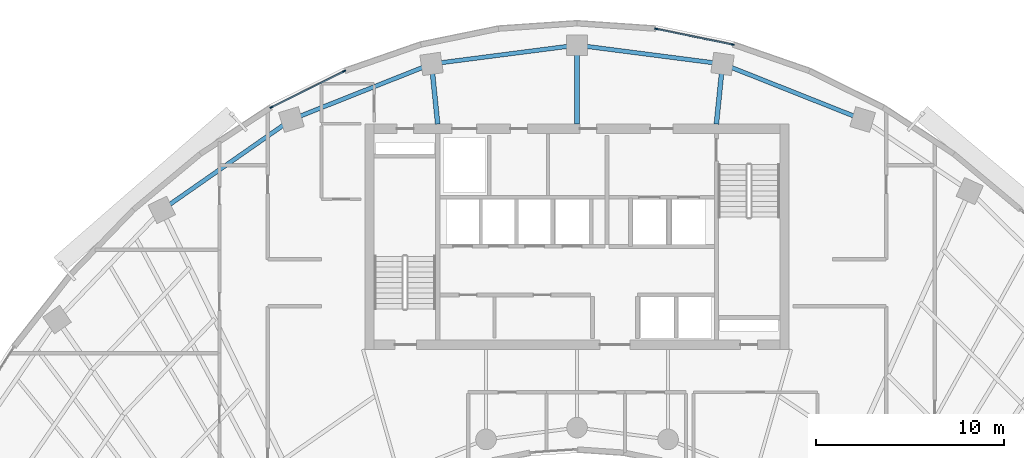
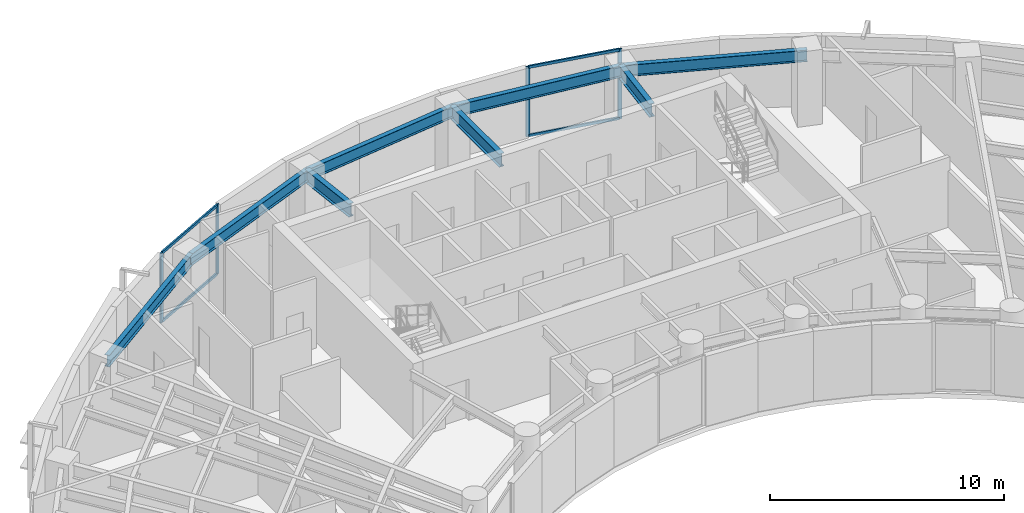
# One storey, part 5 of 13: 8 beams, 8 members, 2 elements without a shape of their own.
"""IFC4 building model written with IfcOpenShell, lengths in metres."""

import ifcopenshell
import ifcopenshell.guid

model = None  # the IFC model being written
_history = None  # IfcOwnerHistory: only IFC2X3 demands one
_inside = {}  # id of a spatial element -> (the spatial element, [elements in it])
_under = {}  # id of a project, library or spatial element -> (it, [spatial elements below it])
_declared = {}  # id of a project -> (the project, [libraries it declares])
_typed = {}  # id of a type object -> (the type object, [elements of that type])
_made_of = {}  # id of a material, layer set ... -> (it, [elements and type objects made of it])


def new_model(schema):
    """Start an empty IFC model of exactly this schema.

    Asked for "IFC4X3", IfcOpenShell would pick the latest addendum, in which some entities
    have other attributes; the version numbers below select the first issue.
    IFC2X3 requires an IfcOwnerHistory on every rooted entity: one is made here for all.
    """
    global model, _history
    if schema == "IFC4X3":
        model = ifcopenshell.file(schema_version=(4, 3, 0, 0))
    else:
        model = ifcopenshell.file(schema=schema)
    _inside.clear()
    _under.clear()
    _declared.clear()
    _typed.clear()
    _made_of.clear()
    _history = None
    if model.schema == "IFC2X3":
        org = make("IfcOrganization", Name="unknown")
        user = make(
            "IfcPersonAndOrganization",
            ThePerson=make("IfcPerson", FamilyName="unknown"),
            TheOrganization=org,
        )
        app = make(
            "IfcApplication",
            ApplicationDeveloper=org,
            Version="unknown",
            ApplicationFullName="unknown",
            ApplicationIdentifier="unknown",
        )
        _history = make(
            "IfcOwnerHistory",
            OwningUser=user,
            OwningApplication=app,
            ChangeAction="ADDED",
            CreationDate=0,
        )
    return model


def make(cls, **values):
    """One entity of the class cls with the attributes given. An attribute that is None is left unset."""
    return model.create_entity(
        cls, **{name: value for name, value in values.items() if value is not None}
    )


def rooted(cls, **values):
    """An entity with a GlobalId (a new one), such as an element, a storey or a relation."""
    return make(cls, GlobalId=ifcopenshell.guid.new(), OwnerHistory=_history, **values)


def si_unit(unit_type, name, prefix=None):
    """IfcSIUnit, for example si_unit("LENGTHUNIT", "METRE", prefix="MILLI")."""
    return make("IfcSIUnit", UnitType=unit_type, Prefix=prefix, Name=name)


def assignment(units):
    """IfcUnitAssignment: the units of a project."""
    return None if units is None else make("IfcUnitAssignment", Units=units)


def point(xyz):
    """IfcCartesianPoint."""
    return None if xyz is None else make("IfcCartesianPoint", Coordinates=xyz)


def direction(xyz):
    """IfcDirection."""
    return None if xyz is None else make("IfcDirection", DirectionRatios=xyz)


def frame(location, z_axis=None, x_axis=None):
    """IfcAxis2Placement3D, a coordinate frame: its origin and axes. An axis left out is left unset."""
    return make(
        "IfcAxis2Placement3D",
        Location=point(location),
        Axis=direction(z_axis),
        RefDirection=direction(x_axis),
    )


def frame_2d(location, x_axis=None):
    """IfcAxis2Placement2D, a coordinate frame in the plane: its origin and x axis."""
    return make(
        "IfcAxis2Placement2D", Location=point(location), RefDirection=direction(x_axis)
    )


def origin():
    """The frame at (0, 0, 0) with its axes left unset."""
    return frame((0.0, 0.0, 0.0))


def origin_2d():
    """The frame at (0, 0) in the plane with its x axis left unset."""
    return frame_2d((0.0, 0.0))


def place(relative_to, where):
    """IfcLocalPlacement: puts the frame where relative to a parent placement (None: the world)."""
    return make(
        "IfcLocalPlacement", PlacementRelTo=relative_to, RelativePlacement=where
    )


def context(
    kind, dimensions, precision=None, world=None, true_north=None, identifier=None
):
    """IfcGeometricRepresentationContext, for example the 3D "Model" context."""
    return make(
        "IfcGeometricRepresentationContext",
        ContextIdentifier=identifier,
        ContextType=kind,
        CoordinateSpaceDimension=dimensions,
        Precision=precision,
        WorldCoordinateSystem=world,
        TrueNorth=true_north,
    )


def subcontext(parent, identifier, kind, view, scale=None):
    """IfcGeometricRepresentationSubContext, for example "Body" below "Model"."""
    return make(
        "IfcGeometricRepresentationSubContext",
        ContextIdentifier=identifier,
        ContextType=kind,
        ParentContext=parent,
        TargetScale=scale,
        TargetView=view,
    )


def project(units=None, contexts=None):
    """IfcProject with its units and contexts."""
    return rooted(
        "IfcProject",
        Name="project",
        RepresentationContexts=contexts,
        UnitsInContext=assignment(units),
    )


def spatial(cls, under=None, at=None, **own):
    """A site, building, storey or space (cls), placed at a placement, below another one or the project."""
    s = rooted(cls, ObjectPlacement=at, **own)
    if under is not None:
        _under.setdefault(under.id(), (under, []))[1].append(s)
    return s


def profile(cls, at=None, kind="AREA", **sizes):
    """A parametric profile (cls). Its sizes go by their IFC names, for example OverallWidth=200.0."""
    return make(cls, ProfileType=kind, Position=at, **sizes)


def rectangle(**sizes):
    """IfcRectangleProfileDef."""
    return profile("IfcRectangleProfileDef", **sizes)


def i_section(**sizes):
    """IfcIShapeProfileDef."""
    return profile("IfcIShapeProfileDef", **sizes)


def extrude(swept, where, along, depth):
    """IfcExtrudedAreaSolid: the profile swept, set in the frame where, extruded along a direction by depth."""
    return make(
        "IfcExtrudedAreaSolid",
        SweptArea=swept,
        Position=where,
        ExtrudedDirection=direction(along),
        Depth=depth,
    )


def shape(context_of_items, identifier, shape_type, items):
    """IfcShapeRepresentation: the items that make up one representation, for example the "Body"."""
    return make(
        "IfcShapeRepresentation",
        ContextOfItems=context_of_items,
        RepresentationIdentifier=identifier,
        RepresentationType=shape_type,
        Items=items,
    )


def source(mapping_origin, context_of_items, identifier, shape_type, items):
    """IfcRepresentationMap: a shape defined once, which mapped items show again and again."""
    return make(
        "IfcRepresentationMap",
        MappingOrigin=mapping_origin,
        MappedRepresentation=shape(context_of_items, identifier, shape_type, items),
    )


def transform(
    local_origin,
    x_axis=None,
    y_axis=None,
    z_axis=None,
    scale=None,
    scale2=None,
    scale3=None,
    uniform=True,
):
    """IfcCartesianTransformationOperator3D, or its non-uniform kind. x_axis, y_axis, z_axis: its Axis1, 2, 3."""
    if uniform:
        return make(
            "IfcCartesianTransformationOperator3D",
            Axis1=direction(x_axis),
            Axis2=direction(y_axis),
            LocalOrigin=point(local_origin),
            Scale=scale,
            Axis3=direction(z_axis),
        )
    return make(
        "IfcCartesianTransformationOperator3DnonUniform",
        Axis1=direction(x_axis),
        Axis2=direction(y_axis),
        LocalOrigin=point(local_origin),
        Scale=scale,
        Axis3=direction(z_axis),
        Scale2=scale2,
        Scale3=scale3,
    )


def mapped(mapping_source, mapping_target):
    """IfcMappedItem: shows the shape of a source again, moved by a transform."""
    return make(
        "IfcMappedItem", MappingSource=mapping_source, MappingTarget=mapping_target
    )


def material(Name=None, Category=None):
    """IfcMaterial."""
    return make("IfcMaterial", Name=Name, Category=Category)


def layer(
    of_material, thickness, ventilated=None, Name=None, Category=None, Priority=None
):
    """IfcMaterialLayer: one layer of a wall or slab, of a material (None: an air gap)."""
    return make(
        "IfcMaterialLayer",
        Material=of_material,
        LayerThickness=thickness,
        IsVentilated=ventilated,
        Name=Name,
        Category=Category,
        Priority=Priority,
    )


def layer_set(layers, Name=None):
    """IfcMaterialLayerSet."""
    return make("IfcMaterialLayerSet", MaterialLayers=layers, LayerSetName=Name)


def material_profile(
    of_material, cross_section, Name=None, Category=None, Priority=None
):
    """IfcMaterialProfile: a cross section and its material."""
    return make(
        "IfcMaterialProfile",
        Name=Name,
        Material=of_material,
        Profile=cross_section,
        Priority=Priority,
        Category=Category,
    )


def profile_set(profiles, Name=None, composite=None):
    """IfcMaterialProfileSet."""
    return make(
        "IfcMaterialProfileSet",
        Name=Name,
        MaterialProfiles=profiles,
        CompositeProfile=composite,
    )


def made_of(thing, what):
    """Note that an element or type object is made of a material, layer set ...; save() writes the relation."""
    if what is not None:
        _made_of.setdefault(what.id(), (what, []))[1].append(thing)
    return thing


def type_object(cls, material=None, **own):
    """A type object (cls), such as IfcWallType, which elements share."""
    return made_of(rooted(cls, **own), material)


def element(
    cls,
    number,
    at=None,
    inside=None,
    cuts=None,
    type_object=None,
    material=None,
    context=None,
    identifier="Body",
    shape_type=None,
    held_by="IfcProductDefinitionShape",
    body=None,
    shapes=None,
    **own,
):
    """One element of the class cls, such as IfcWall. Its Tag is "e" and its number.

    at: its placement. inside: the storey or other place that contains it. cuts: it is an
    opening in that element (IfcRelVoidsElement). A single representation is given by context,
    identifier, shape_type and body (its items); several are given by shapes. held_by: the class
    of the entity that holds the representations. save() writes the other relations.
    """
    e = rooted(cls, Tag="e%d" % number, ObjectPlacement=at, **own)
    if body is not None:
        shapes = [shape(context, identifier, shape_type, body)]
    if shapes is not None:
        e.Representation = make(held_by, Representations=shapes)
    if inside is not None:
        _inside.setdefault(inside.id(), (inside, []))[1].append(e)
    if cuts is not None:
        rooted(
            "IfcRelVoidsElement", RelatingBuildingElement=cuts, RelatedOpeningElement=e
        )
    if type_object is not None:
        _typed.setdefault(type_object.id(), (type_object, []))[1].append(e)
    return made_of(e, material)


def aggregate(whole, parts):
    """IfcRelAggregates: a whole, such as a stair, and the parts it consists of."""
    return rooted("IfcRelAggregates", RelatingObject=whole, RelatedObjects=parts)


def save(model, path):
    """Write the relations noted so far, then the file.

    IfcRelAggregates (storeys below a building ...), IfcRelContainedInSpatialStructure (elements
    in a storey), IfcRelDefinesByType, IfcRelAssociatesMaterial and IfcRelDeclares: one each for
    every whole, place, type object, material and project.
    """
    for whole, parts in _under.values():
        aggregate(whole, parts)
    for where, things in _inside.values():
        rooted(
            "IfcRelContainedInSpatialStructure",
            RelatedElements=things,
            RelatingStructure=where,
        )
    for kind, things in _typed.values():
        rooted("IfcRelDefinesByType", RelatedObjects=things, RelatingType=kind)
    for what, things in _made_of.values():
        rooted("IfcRelAssociatesMaterial", RelatedObjects=things, RelatingMaterial=what)
    for by, libraries in _declared.values():
        rooted("IfcRelDeclares", RelatingContext=by, RelatedDefinitions=libraries)
    model.write(path)


model = new_model("IFC4")

# Units and contexts
model_context = context("Model", 3, precision=1e-05, world=origin(), true_north=direction((0.0, 1.0)))
body_context = subcontext(model_context, "Body", "Model", "MODEL_VIEW")
ifc_project = project(units=[si_unit("LENGTHUNIT", "METRE"), si_unit("AREAUNIT", "SQUARE_METRE"), si_unit("VOLUMEUNIT", "CUBIC_METRE"), si_unit("PLANEANGLEUNIT", "RADIAN"), si_unit("MASSUNIT", "GRAM", prefix="KILO")], contexts=[model_context])

# Site, building, storey
site_placement = place(None, origin())
site = spatial("IfcSite", under=ifc_project, at=site_placement, CompositionType="ELEMENT")
building_placement = place(site_placement, origin())
building = spatial("IfcBuilding", under=site, at=building_placement, Name="Breltana Convention Tower", CompositionType="ELEMENT")
storey_placement = place(building_placement, frame((0.0, 0.0, 166.199951171875)))
storey = spatial("IfcBuildingStorey", under=building, at=storey_placement, Name="L40", CompositionType="ELEMENT", Elevation=166.199951171875)

# Beams
ifc_material_1 = material(Name="Steel ASTM A992 Grade 50", Category="steel")
ifc_material_profile_1 = material_profile(ifc_material_1, i_section(OverallWidth=0.25390625, OverallDepth=0.68798828125, WebThickness=0.01318359375, FlangeThickness=0.02099609375, at=origin_2d()), Name="W27X102")
ifc_profile_set_1 = profile_set([ifc_material_profile_1], Name="Steel ASTM A992 Grade 50")
beam_type_1 = type_object("IfcBeamType", Name="BM-RG-W27X102", PredefinedType="USERDEFINED", material=ifc_profile_set_1)
shared_shape_1 = source(origin(), body_context, "Body", "SweptSolid", [
    extrude(i_section(OverallWidth=0.25390625, OverallDepth=0.68798828125, WebThickness=0.01318359375, FlangeThickness=0.02099609375, at=origin_2d()), origin(), (0.0, 0.0, 1.0), 3.220947265625),
])
for number, where, z_axis, x_axis, name in (
    (1, (40.580078125, 72.199951171875, 3.30615234375), (-0.101492254858, 0.994836329355, 0.0), (-0.994836329355, -0.101492254858, 0.0), "L40 North Core Radial Girder R05"),
    (2, (55.419921875, 72.199951171875, 3.30615234375), (0.101492254858, 0.994836329355, 0.0), (-0.994836329355, 0.101492254858, 0.0), "L40 North Core Radial Girder R07"),
):
    element("IfcBeam", number, at=place(storey_placement, frame(where, z_axis=z_axis, x_axis=x_axis)), inside=storey, type_object=beam_type_1, Name=name, ObjectType="GIRDER", PredefinedType="USERDEFINED", context=body_context, shape_type="MappedRepresentation", body=[
        mapped(shared_shape_1, transform((0.0, 0.0, 0.0), scale=1.0)),
    ])
shared_shape_2 = source(origin(), body_context, "Body", "SweptSolid", [
    extrude(i_section(OverallWidth=0.25390625, OverallDepth=0.68798828125, WebThickness=0.01318359375, FlangeThickness=0.02099609375, at=origin_2d()), origin(), (0.0, 0.0, 1.0), 4.2041015625),
])
beam_1_placement = place(storey_placement, frame((48.0, 72.199951171875, 3.30615234375), z_axis=(0.0, 1.0, 0.0), x_axis=(-1.0, 0.0, 0.0)))
element("IfcBeam", 3, at=beam_1_placement, inside=storey, type_object=beam_type_1, Name="L40 North Core Radial Girder R06", ObjectType="GIRDER", PredefinedType="USERDEFINED", context=body_context, shape_type="MappedRepresentation", body=[
    mapped(shared_shape_2, transform((0.0, 0.0, 0.0), scale=1.0)),
])
ifc_material_profile_2 = material_profile(ifc_material_1, i_section(OverallWidth=0.22802734375, OverallDepth=0.60791015625, WebThickness=0.01123046875, FlangeThickness=0.017333984375, at=origin_2d()), Name="W24X76")
ifc_profile_set_2 = profile_set([ifc_material_profile_2], Name="Steel ASTM A992 Grade 50")
beam_type_2 = type_object("IfcBeamType", Name="BM-SP-W24X76", PredefinedType="SPANDREL", material=ifc_profile_set_2)
shared_shape_3 = source(origin(), body_context, "Body", "SweptSolid", [
    extrude(i_section(OverallWidth=0.22802734375, OverallDepth=0.60791015625, WebThickness=0.01123046875, FlangeThickness=0.017333984375, at=origin_2d()), origin(), (0.0, 0.0, 1.0), 8.4169921875),
])
beam_2_placement = place(storey_placement, frame((25.8876953125, 67.626953125, 3.345947265625), z_axis=(0.820173800102, 0.572114444519, 0.0), x_axis=(-0.572114444519, 0.820173800102, 0.0)))
element("IfcBeam", 4, at=beam_2_placement, inside=storey, type_object=beam_type_2, Name="L40 Outer Spandrel Beam 03", PredefinedType="SPANDREL", context=body_context, shape_type="MappedRepresentation", body=[
    mapped(shared_shape_3, transform((0.0, 0.0, 0.0), scale=1.0)),
])
shared_shape_4 = source(origin(), body_context, "Body", "SweptSolid", [
    extrude(i_section(OverallWidth=0.22802734375, OverallDepth=0.60791015625, WebThickness=0.01123046875, FlangeThickness=0.017333984375, at=origin_2d()), origin(), (0.0, 0.0, 1.0), 8.028564453125),
])
for number, where, z_axis, x_axis, name in (
    (5, (32.791015625, 72.4423828125, 3.345947265625), (0.929459100394, 0.368925169507, 0.0), (-0.368925169507, 0.929459100394, 0.0), "L40 Outer Spandrel Beam 04"),
    (6, (55.746826171875, 75.404296875, 3.345947265625), (0.929459100394, -0.368925169507, 0.0), (0.368925169507, 0.929459100394, 0.0), "L40 Outer Spandrel Beam 07"),
):
    element("IfcBeam", number, at=place(storey_placement, frame(where, z_axis=z_axis, x_axis=x_axis)), inside=storey, type_object=beam_type_2, Name=name, PredefinedType="SPANDREL", context=body_context, shape_type="MappedRepresentation", body=[
        mapped(shared_shape_4, transform((0.0, 0.0, 0.0), scale=1.0)),
    ])
shared_shape_5 = source(origin(), body_context, "Body", "SweptSolid", [
    extrude(i_section(OverallWidth=0.22802734375, OverallDepth=0.60791015625, WebThickness=0.01123046875, FlangeThickness=0.017333984375, at=origin_2d()), origin(), (0.0, 0.0, 1.0), 7.81103515625),
])
for number, where, z_axis, x_axis, name in (
    (7, (40.253173828125, 75.404296875, 3.345947265625), (0.991775179127, 0.127992164083, 0.0), (-0.127992164083, 0.991775179127, 0.0), "L40 Outer Spandrel Beam 05"),
    (8, (48.0, 76.404052734375, 3.345947265625), (0.991775179127, -0.127992164083, 0.0), (0.127992164083, 0.991775179127, 0.0), "L40 Outer Spandrel Beam 06"),
):
    element("IfcBeam", number, at=place(storey_placement, frame(where, z_axis=z_axis, x_axis=x_axis)), inside=storey, type_object=beam_type_2, Name=name, PredefinedType="SPANDREL", context=body_context, shape_type="MappedRepresentation", body=[
        mapped(shared_shape_5, transform((0.0, 0.0, 0.0), scale=1.0)),
    ])

# Curtain wall, members
ifc_material_2 = material(Name="Aluminium Anodised Bronze Frame", Category="aluminium")
ifc_layer = layer(ifc_material_2, 0.2099609375, Name="Aluminium Anodised Bronze Frame")
ifc_layer_set = layer_set([ifc_layer], Name="Aluminium Anodised Bronze Frame")
curtain_wall_type = type_object("IfcCurtainWallType", Name="CW-SYS-3", PredefinedType="NOTDEFINED", material=ifc_layer_set)
curtain_wall_1_placement = place(storey_placement, origin())
curtain_wall_1 = element("IfcCurtainWall", 9, at=curtain_wall_1_placement, inside=storey, type_object=curtain_wall_type, Name="L40 outer double-skin inner glazing 2", PredefinedType="NOTDEFINED")
ifc_material_3 = material(Name="Aluminium Anodised Bronze", Category="aluminium")
ifc_material_profile_3 = material_profile(ifc_material_3, rectangle(XDim=0.070068359375, YDim=0.175048828125, at=origin_2d()), Name="CWM-70X175")
ifc_profile_set_3 = profile_set([ifc_material_profile_3], Name="Aluminium Anodised Bronze")
member_type_1 = type_object("IfcMemberType", Name="CWM-175", PredefinedType="MULLION", material=ifc_profile_set_3)
shared_shape_6 = source(origin(), body_context, "Body", "SweptSolid", [
    extrude(rectangle(XDim=0.070068359375, YDim=0.175048828125, at=origin_2d()), origin(), (0.0, 0.0, 1.0), 3.650146484375),
])
member_1_placement = place(storey_placement, frame((31.733154296875, 73.095458984375, 0.0), z_axis=(0.0, 0.0, 1.0), x_axis=(-0.444117835682, 0.895968385619, 0.0)))
member_1 = element("IfcMember", 10, at=member_1_placement, type_object=member_type_1, Name="CW-03 mullion 1", PredefinedType="MULLION", context=body_context, shape_type="MappedRepresentation", body=[
    mapped(shared_shape_6, transform((0.0, 0.0, 0.0), scale=1.0)),
])
member_2_placement = place(storey_placement, frame((35.59814453125, 75.011474609375, 0.0), z_axis=(0.0, 0.0, 1.0), x_axis=(-0.444117835682, 0.895968385619, 0.0)))
member_2 = element("IfcMember", 11, at=member_2_placement, type_object=member_type_1, Name="CW-03 mullion 2", PredefinedType="MULLION", context=body_context, shape_type="MappedRepresentation", body=[
    mapped(shared_shape_6, transform((0.0, 0.0, 0.0), scale=1.0)),
])

curtain_wall_2_placement = place(storey_placement, origin())
curtain_wall_2 = element("IfcCurtainWall", 12, at=curtain_wall_2_placement, inside=storey, type_object=curtain_wall_type, Name="L40 outer double-skin inner glazing 3", PredefinedType="NOTDEFINED")
member_3_placement = place(storey_placement, frame((52.2138671875, 77.272705078125, 0.0), z_axis=(0.0, 0.0, 1.0), x_axis=(0.200876562668, 0.979616560993, 0.0)))
member_3 = element("IfcMember", 13, at=member_3_placement, type_object=member_type_1, Name="CW-03 mullion 1", PredefinedType="MULLION", context=body_context, shape_type="MappedRepresentation", body=[
    mapped(shared_shape_6, transform((0.0, 0.0, 0.0), scale=1.0)),
])
member_4_placement = place(storey_placement, frame((56.28271484375, 76.4384765625, 0.0), z_axis=(0.0, 0.0, 1.0), x_axis=(0.200876562668, 0.979616560993, 0.0)))
member_4 = element("IfcMember", 14, at=member_4_placement, type_object=member_type_1, Name="CW-03 mullion 2", PredefinedType="MULLION", context=body_context, shape_type="MappedRepresentation", body=[
    mapped(shared_shape_6, transform((0.0, 0.0, 0.0), scale=1.0)),
])

# Member
ifc_material_profile_4 = material_profile(ifc_material_3, rectangle(XDim=0.080078125, YDim=0.139892578125, at=origin_2d()), Name="CWT-80X140")
ifc_profile_set_4 = profile_set([ifc_material_profile_4], Name="Aluminium Anodised Bronze")
member_type_2 = type_object("IfcMemberType", Name="CWT-140", PredefinedType="USERDEFINED", material=ifc_profile_set_4)
shared_shape_7 = source(origin(), body_context, "Body", "SweptSolid", [
    extrude(rectangle(XDim=0.080078125, YDim=0.139892578125, at=origin_2d()), origin(), (0.0, 0.0, 1.0), 4.243896484375),
])
member_5_placement = place(storey_placement, frame((31.764404296875, 73.111083984375, 0.0400390625), z_axis=(0.895975011629, 0.444104468043, 0.0), x_axis=(-0.444104468043, 0.895975011629, 0.0)))
member_5 = element("IfcMember", 15, at=member_5_placement, type_object=member_type_2, Name="CW-03 transom 1.1", ObjectType="TRANSOM", PredefinedType="USERDEFINED", context=body_context, shape_type="MappedRepresentation", body=[
    mapped(shared_shape_7, transform((0.0, 0.0, 0.0), scale=1.0)),
])

member_6_placement = place(storey_placement, frame((31.764404296875, 73.111083984375, 3.610107421875), z_axis=(0.895975011629, 0.444104468043, 0.0), x_axis=(-0.444104468043, 0.895975011629, 0.0)))
member_6 = element("IfcMember", 16, at=member_6_placement, type_object=member_type_2, Name="CW-03 transom 1.2", ObjectType="TRANSOM", PredefinedType="USERDEFINED", context=body_context, shape_type="MappedRepresentation", body=[
    mapped(shared_shape_7, transform((0.0, 0.0, 0.0), scale=1.0)),
])

aggregate(curtain_wall_1, [member_1, member_2, member_5, member_6])

shared_shape_8 = source(origin(), body_context, "Body", "SweptSolid", [
    extrude(rectangle(XDim=0.080078125, YDim=0.139892578125, at=origin_2d()), origin(), (0.0, 0.0, 1.0), 4.08349609375),
])
member_7_placement = place(storey_placement, frame((52.248291015625, 77.265625, 0.0400390625), z_axis=(0.979626533509, -0.20082792347, 0.0), x_axis=(0.20082792347, 0.979626533509, 0.0)))
member_7 = element("IfcMember", 17, at=member_7_placement, type_object=member_type_2, Name="CW-03 transom 1.1", ObjectType="TRANSOM", PredefinedType="USERDEFINED", context=body_context, shape_type="MappedRepresentation", body=[
    mapped(shared_shape_8, transform((0.0, 0.0, 0.0), scale=1.0)),
])

member_8_placement = place(storey_placement, frame((52.248291015625, 77.265625, 3.610107421875), z_axis=(0.979626533509, -0.20082792347, 0.0), x_axis=(0.20082792347, 0.979626533509, 0.0)))
member_8 = element("IfcMember", 18, at=member_8_placement, type_object=member_type_2, Name="CW-03 transom 1.2", ObjectType="TRANSOM", PredefinedType="USERDEFINED", context=body_context, shape_type="MappedRepresentation", body=[
    mapped(shared_shape_8, transform((0.0, 0.0, 0.0), scale=1.0)),
])

aggregate(curtain_wall_2, [member_3, member_4, member_7, member_8])

save(model, "model.ifc")
